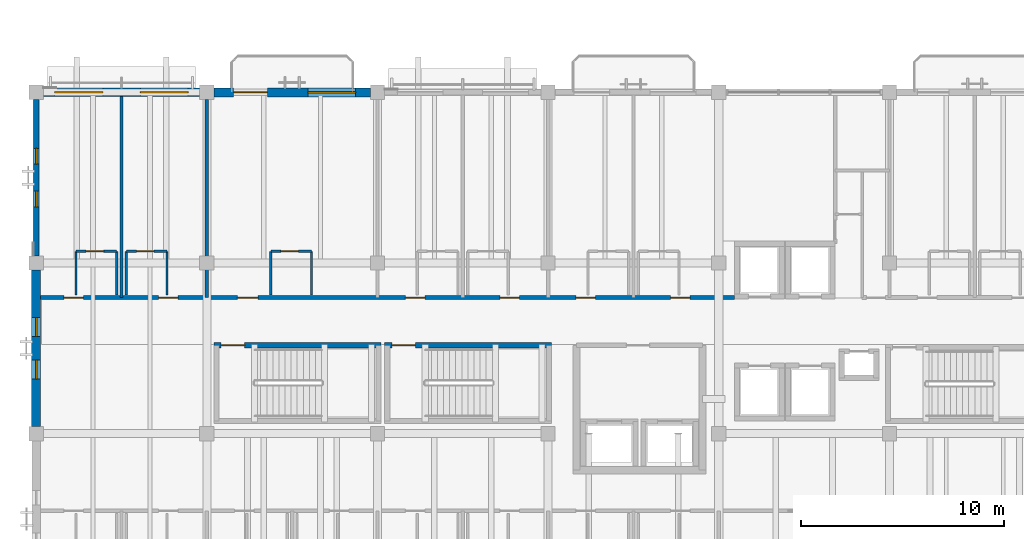
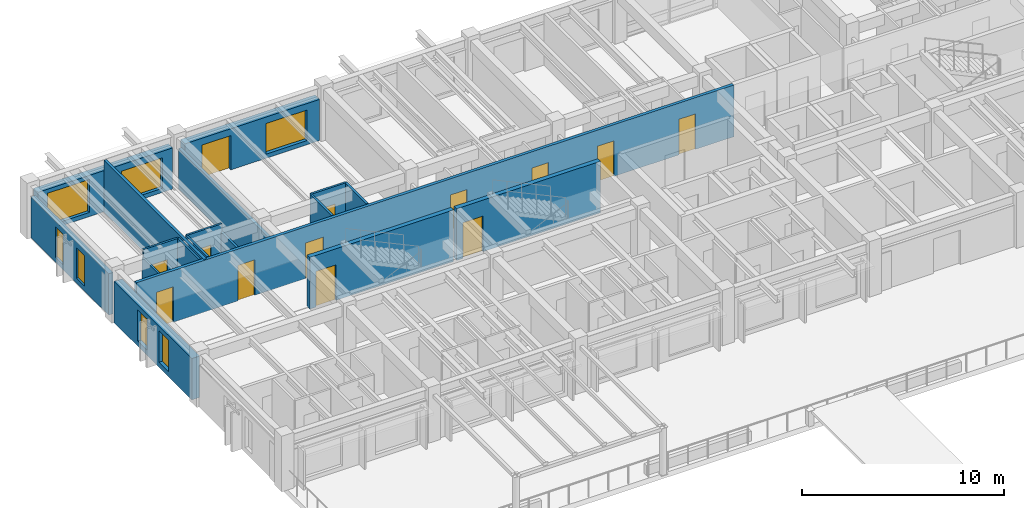
# One storey, part 89 of 111: 18 walls, 13 doors, 7 windows, 20 openings.
"""IFC4 building model written with IfcOpenShell, lengths in metres."""

from ifc_helpers import new_model, si_unit, direction, frame, frame_2d, origin, place, context, subcontext, project, spatial, rectangle, extrude, material, layer, layer_set, type_object, element, fill, save


model = new_model("IFC4")

# Units and contexts
model_context = context("Model", 3, precision=1e-05, world=origin(), true_north=direction((0.0, 1.0)))
body_context = subcontext(model_context, "Body", "Model", "MODEL_VIEW")
ifc_project = project(units=[si_unit("LENGTHUNIT", "METRE"), si_unit("AREAUNIT", "SQUARE_METRE"), si_unit("VOLUMEUNIT", "CUBIC_METRE"), si_unit("PLANEANGLEUNIT", "RADIAN"), si_unit("MASSUNIT", "GRAM", prefix="KILO")], contexts=[model_context])

# Site, building, storey
site_placement = place(None, origin())
site = spatial("IfcSite", under=ifc_project, at=site_placement, CompositionType="ELEMENT")
building_placement = place(site_placement, origin())
building = spatial("IfcBuilding", under=site, at=building_placement, Name="Cumbredor Promenade Congress Hotel", CompositionType="ELEMENT")
storey_placement = place(building_placement, frame((0.0, 0.0, 15.1201171875)))
storey = spatial("IfcBuildingStorey", under=building, at=storey_placement, Name="L04", CompositionType="ELEMENT", Elevation=15.1201171875)

# Wall, opening, door
ifc_material_1 = material(Name="Moisture-resistant gypsum board on steel studs", Category="steel")
ifc_layer_1 = layer(ifc_material_1, 0.114990234375, Name="Moisture-resistant gypsum board on steel studs", Category="steel")
ifc_layer_set_1 = layer_set([ifc_layer_1], Name="Moisture-resistant gypsum board on steel studs")
wall_type_1 = type_object("IfcWallType", Name="WL-BATH-115", PredefinedType="PARTITIONING", material=ifc_layer_set_1)
wall_1_placement = place(storey_placement, frame((1.9599609375, 109.77001953125, 0.0), z_axis=(0.0, 0.0, 1.0), x_axis=(1.0, 0.0, 0.0)))
wall_1 = element("IfcWall", 1, at=wall_1_placement, inside=storey, type_object=wall_type_1, Name="L04 Interior Partition W-L04-BH-0401", PredefinedType="PARTITIONING", context=body_context, shape_type="SweptSolid", body=[
    extrude(rectangle(XDim=2.0, YDim=0.114990234375, at=frame_2d((1.0, 0.0))), origin(), (0.0, 0.0, 1.0), 3.119873046875),
])
opening_1_placement = place(wall_1_placement, frame((0.5, 0.0, 0.0)))
opening_1 = element("IfcOpeningElement", 2, at=opening_1_placement, cuts=wall_1, Name="Opening ID-01", PredefinedType="OPENING", context=body_context, shape_type="SweptSolid", body=[
    extrude(rectangle(XDim=0.860107421875, YDim=2.050048828125, at=frame_2d((0.43017578125, 1.02490234375))), frame((0.0, 0.0673828125, 0.0), z_axis=(0.0, -1.0, 0.0), x_axis=(1.0, 0.0, 0.0)), (0.0, 0.0, 1.0), 0.135009765625),
])
ifc_material_2 = material(Name="Kiln-dried tropical hardwood", Category="wood")
door_type_1 = type_object("IfcDoorType", Name="DR-BATH-860", OperationType="NOTDEFINED", PredefinedType="DOOR", material=ifc_material_2)
door_1_placement = place(opening_1_placement, origin())
door_1 = element("IfcDoor", 3, at=door_1_placement, inside=storey, type_object=door_type_1, Name="L04 Interior Door W-L04-BH-0401-01", OperationType="SINGLE_SWING_RIGHT", OverallHeight=2.050048828125, OverallWidth=0.860107421875, PredefinedType="DOOR", context=body_context, shape_type="SweptSolid", body=[
    extrude(rectangle(XDim=0.860107421875, YDim=2.050048828125, at=frame_2d((0.43017578125, 1.02490234375))), frame((0.0, 0.02490234375, 0.0), z_axis=(0.0, -1.0, 0.0), x_axis=(1.0, 0.0, 0.0)), (0.0, 0.0, 1.0), 0.050048828125),
])
fill(opening_1, door_1)

# Walls
wall_2_placement = place(storey_placement, frame((1.9599609375, 107.6201171875, 0.0), z_axis=(0.0, 0.0, 1.0), x_axis=(0.0, 1.0, 0.0)))
element("IfcWall", 4, at=wall_2_placement, inside=storey, type_object=wall_type_1, Name="L04 Interior Partition W-L04-BV1-0401", PredefinedType="PARTITIONING", context=body_context, shape_type="SweptSolid", body=[
    extrude(rectangle(XDim=2.14990234375, YDim=0.114990234375, at=frame_2d((1.074951171875, 0.0))), origin(), (0.0, 0.0, 1.0), 2.641845703125),
])
wall_3_placement = place(storey_placement, frame((3.9599609375, 107.6201171875, 0.0), z_axis=(0.0, 0.0, 1.0), x_axis=(0.0, 1.0, 0.0)))
element("IfcWall", 5, at=wall_3_placement, inside=storey, type_object=wall_type_1, Name="L04 Interior Partition W-L04-BV2-0401", PredefinedType="PARTITIONING", context=body_context, shape_type="SweptSolid", body=[
    extrude(rectangle(XDim=2.14990234375, YDim=0.114990234375, at=frame_2d((1.074951171875, 0.0))), origin(), (0.0, 0.0, 1.0), 3.119873046875),
])

# Wall, opening, door
wall_4_placement = place(storey_placement, frame((4.43994140625, 109.77001953125, 0.0), z_axis=(0.0, 0.0, 1.0), x_axis=(1.0, 0.0, 0.0)))
wall_4 = element("IfcWall", 6, at=wall_4_placement, inside=storey, type_object=wall_type_1, Name="L04 Interior Partition W-L04-BH-0402", PredefinedType="PARTITIONING", context=body_context, shape_type="SweptSolid", body=[
    extrude(rectangle(XDim=2.0, YDim=0.114990234375, at=frame_2d((1.0, 0.0))), origin(), (0.0, 0.0, 1.0), 3.119873046875),
])
opening_2_placement = place(wall_4_placement, frame((0.5, 0.0, 0.0)))
opening_2 = element("IfcOpeningElement", 7, at=opening_2_placement, cuts=wall_4, Name="Opening ID-01", PredefinedType="OPENING", context=body_context, shape_type="SweptSolid", body=[
    extrude(rectangle(XDim=0.860107421875, YDim=2.050048828125, at=frame_2d((0.43017578125, 1.02490234375))), frame((0.0, 0.0673828125, 0.0), z_axis=(0.0, -1.0, 0.0), x_axis=(1.0, 0.0, 0.0)), (0.0, 0.0, 1.0), 0.135009765625),
])
door_2_placement = place(opening_2_placement, origin())
door_2 = element("IfcDoor", 8, at=door_2_placement, inside=storey, type_object=door_type_1, Name="L04 Interior Door W-L04-BH-0402-01", OperationType="SINGLE_SWING_LEFT", OverallHeight=2.050048828125, OverallWidth=0.860107421875, PredefinedType="DOOR", context=body_context, shape_type="SweptSolid", body=[
    extrude(rectangle(XDim=0.860107421875, YDim=2.050048828125, at=frame_2d((0.43017578125, 1.02490234375))), frame((0.0, 0.02490234375, 0.0), z_axis=(0.0, -1.0, 0.0), x_axis=(1.0, 0.0, 0.0)), (0.0, 0.0, 1.0), 0.050048828125),
])
fill(opening_2, door_2)

# Walls
wall_5_placement = place(storey_placement, frame((4.43994140625, 107.6201171875, 0.0), z_axis=(0.0, 0.0, 1.0), x_axis=(0.0, 1.0, 0.0)))
element("IfcWall", 9, at=wall_5_placement, inside=storey, type_object=wall_type_1, Name="L04 Interior Partition W-L04-BV1-0402", PredefinedType="PARTITIONING", context=body_context, shape_type="SweptSolid", body=[
    extrude(rectangle(XDim=2.14990234375, YDim=0.114990234375, at=frame_2d((1.074951171875, 0.0))), origin(), (0.0, 0.0, 1.0), 3.119873046875),
])
wall_6_placement = place(storey_placement, frame((6.43994140625, 107.6201171875, 0.0), z_axis=(0.0, 0.0, 1.0), x_axis=(0.0, 1.0, 0.0)))
element("IfcWall", 10, at=wall_6_placement, inside=storey, type_object=wall_type_1, Name="L04 Interior Partition W-L04-BV2-0402", PredefinedType="PARTITIONING", context=body_context, shape_type="SweptSolid", body=[
    extrude(rectangle(XDim=2.14990234375, YDim=0.114990234375, at=frame_2d((1.074951171875, 0.0))), origin(), (0.0, 0.0, 1.0), 2.641845703125),
])

# Wall, opening, door
wall_7_placement = place(storey_placement, frame((11.550048828125, 109.77001953125, 0.0), z_axis=(0.0, 0.0, 1.0), x_axis=(1.0, 0.0, 0.0)))
wall_7 = element("IfcWall", 11, at=wall_7_placement, inside=storey, type_object=wall_type_1, Name="L04 Interior Partition W-L04-BH-0403", PredefinedType="PARTITIONING", context=body_context, shape_type="SweptSolid", body=[
    extrude(rectangle(XDim=2.0, YDim=0.114990234375, at=frame_2d((1.0, 0.0))), origin(), (0.0, 0.0, 1.0), 3.119873046875),
])
opening_3_placement = place(wall_7_placement, frame((0.5, 0.0, 0.0)))
opening_3 = element("IfcOpeningElement", 12, at=opening_3_placement, cuts=wall_7, Name="Opening ID-01", PredefinedType="OPENING", context=body_context, shape_type="SweptSolid", body=[
    extrude(rectangle(XDim=0.860107421875, YDim=2.050048828125, at=frame_2d((0.43017578125, 1.02490234375))), frame((0.0, 0.0673828125, 0.0), z_axis=(0.0, -1.0, 0.0), x_axis=(1.0, 0.0, 0.0)), (0.0, 0.0, 1.0), 0.135009765625),
])
door_3_placement = place(opening_3_placement, origin())
door_3 = element("IfcDoor", 13, at=door_3_placement, inside=storey, type_object=door_type_1, Name="L04 Interior Door W-L04-BH-0403-01", OperationType="SINGLE_SWING_RIGHT", OverallHeight=2.050048828125, OverallWidth=0.860107421875, PredefinedType="DOOR", context=body_context, shape_type="SweptSolid", body=[
    extrude(rectangle(XDim=0.860107421875, YDim=2.050048828125, at=frame_2d((0.43017578125, 1.02490234375))), frame((0.0, 0.02490234375, 0.0), z_axis=(0.0, -1.0, 0.0), x_axis=(1.0, 0.0, 0.0)), (0.0, 0.0, 1.0), 0.050048828125),
])
fill(opening_3, door_3)

# Walls
for number, where, z_axis, x_axis, name in (
    (14, (11.550048828125, 107.6201171875, 0.0), (0.0, 0.0, 1.0), (0.0, 1.0, 0.0), "L04 Interior Partition W-L04-BV1-0403"),
    (15, (13.550048828125, 107.6201171875, 0.0), (0.0, 0.0, 1.0), (0.0, 1.0, 0.0), "L04 Interior Partition W-L04-BV2-0403"),
):
    element("IfcWall", number, at=place(storey_placement, frame(where, z_axis=z_axis, x_axis=x_axis)), inside=storey, type_object=wall_type_1, Name=name, PredefinedType="PARTITIONING", context=body_context, shape_type="SweptSolid", body=[
        extrude(rectangle(XDim=2.14990234375, YDim=0.114990234375, at=frame_2d((1.074951171875, 0.0))), origin(), (0.0, 0.0, 1.0), 3.119873046875),
    ])

# Wall, openings, doors
ifc_material_3 = material(Name="Fire-rated hotel corridor wall")
ifc_layer_2 = layer(ifc_material_3, 0.179931640625, Name="Fire-rated hotel corridor wall")
ifc_layer_set_2 = layer_set([ifc_layer_2], Name="Fire-rated hotel corridor wall")
wall_type_2 = type_object("IfcWallType", Name="WL-CORR-180", PredefinedType="PARTITIONING", material=ifc_layer_set_2)
wall_8_placement = place(storey_placement, frame((0.22509765625, 107.5, 0.0), z_axis=(0.0, 0.0, 1.0), x_axis=(1.0, 0.0, 0.0)))
wall_8 = element("IfcWall", 16, at=wall_8_placement, inside=storey, type_object=wall_type_2, Name="L04 Interior Partition W-L04-CORR-NW", PredefinedType="PARTITIONING", context=body_context, shape_type="SweptSolid", body=[
    extrude(rectangle(XDim=34.14501953125, YDim=0.179931640625, at=frame_2d((17.072509765625, 0.0))), origin(), (0.0, 0.0, 1.0), 3.119873046875),
])
opening_4_placement = place(wall_8_placement, frame((1.14501953125, 0.0, 0.0)))
opening_4 = element("IfcOpeningElement", 17, at=opening_4_placement, cuts=wall_8, Name="Opening FD-01", PredefinedType="OPENING", context=body_context, shape_type="SweptSolid", body=[
    extrude(rectangle(XDim=0.9599609375, YDim=2.14990234375, at=frame_2d((0.47998046875, 1.074951171875))), frame((0.0, 0.10009765625, 0.0), z_axis=(0.0, -1.0, 0.0), x_axis=(1.0, 0.0, 0.0)), (0.0, 0.0, 1.0), 0.199951171875),
])
opening_5_placement = place(wall_8_placement, frame((5.804931640625, 0.0, 0.0)))
opening_5 = element("IfcOpeningElement", 18, at=opening_5_placement, cuts=wall_8, Name="Opening FD-01", PredefinedType="OPENING", context=body_context, shape_type="SweptSolid", body=[
    extrude(rectangle(XDim=0.9599609375, YDim=2.14990234375, at=frame_2d((0.47998046875, 1.074951171875))), frame((0.0, 0.10009765625, 0.0), z_axis=(0.0, -1.0, 0.0), x_axis=(1.0, 0.0, 0.0)), (0.0, 0.0, 1.0), 0.199951171875),
])
opening_6_placement = place(wall_8_placement, frame((9.675048828125, 0.0, 0.0)))
opening_6 = element("IfcOpeningElement", 19, at=opening_6_placement, cuts=wall_8, Name="Opening FD-02", PredefinedType="OPENING", context=body_context, shape_type="SweptSolid", body=[
    extrude(rectangle(XDim=1.02001953125, YDim=2.14990234375, at=frame_2d((0.510009765625, 1.074951171875))), frame((0.0, 0.10009765625, 0.0), z_axis=(0.0, -1.0, 0.0), x_axis=(1.0, 0.0, 0.0)), (0.0, 0.0, 1.0), 0.199951171875),
])
opening_7_placement = place(wall_8_placement, frame((17.945068359375, 0.0, 0.0)))
opening_7 = element("IfcOpeningElement", 20, at=opening_7_placement, cuts=wall_8, Name="Opening FD-01", PredefinedType="OPENING", context=body_context, shape_type="SweptSolid", body=[
    extrude(rectangle(XDim=0.9599609375, YDim=2.14990234375, at=frame_2d((0.47998046875, 1.074951171875))), frame((0.0, 0.10009765625, 0.0), z_axis=(0.0, -1.0, 0.0), x_axis=(1.0, 0.0, 0.0)), (0.0, 0.0, 1.0), 0.199951171875),
])
opening_8_placement = place(wall_8_placement, frame((22.60498046875, 0.0, 0.0)))
opening_8 = element("IfcOpeningElement", 21, at=opening_8_placement, cuts=wall_8, Name="Opening FD-01", PredefinedType="OPENING", context=body_context, shape_type="SweptSolid", body=[
    extrude(rectangle(XDim=0.9599609375, YDim=2.14990234375, at=frame_2d((0.47998046875, 1.074951171875))), frame((0.0, 0.10009765625, 0.0), z_axis=(0.0, -1.0, 0.0), x_axis=(1.0, 0.0, 0.0)), (0.0, 0.0, 1.0), 0.199951171875),
])
opening_9_placement = place(wall_8_placement, frame((26.344970703125, 0.0, 0.0)))
opening_9 = element("IfcOpeningElement", 22, at=opening_9_placement, cuts=wall_8, Name="Opening FD-01", PredefinedType="OPENING", context=body_context, shape_type="SweptSolid", body=[
    extrude(rectangle(XDim=0.9599609375, YDim=2.14990234375, at=frame_2d((0.47998046875, 1.074951171875))), frame((0.0, 0.10009765625, 0.0), z_axis=(0.0, -1.0, 0.0), x_axis=(1.0, 0.0, 0.0)), (0.0, 0.0, 1.0), 0.199951171875),
])
opening_10_placement = place(wall_8_placement, frame((31.0048828125, 0.0, 0.0)))
opening_10 = element("IfcOpeningElement", 23, at=opening_10_placement, cuts=wall_8, Name="Opening FD-01", PredefinedType="OPENING", context=body_context, shape_type="SweptSolid", body=[
    extrude(rectangle(XDim=0.9599609375, YDim=2.14990234375, at=frame_2d((0.47998046875, 1.074951171875))), frame((0.0, 0.10009765625, 0.0), z_axis=(0.0, -1.0, 0.0), x_axis=(1.0, 0.0, 0.0)), (0.0, 0.0, 1.0), 0.199951171875),
])
ifc_material_4 = material(Name="Solid-core fire-rated tropical hardwood", Category="wood")
door_type_2 = type_object("IfcDoorType", Name="DR-GUEST-FD30-1000", OperationType="NOTDEFINED", PredefinedType="DOOR", material=ifc_material_4)
door_4_placement = place(opening_6_placement, origin())
door_4 = element("IfcDoor", 24, at=door_4_placement, inside=storey, type_object=door_type_2, Name="L04 Interior Door W-L04-CORR-NW-03", OperationType="SINGLE_SWING_LEFT", OverallHeight=2.14990234375, OverallWidth=1.02001953125, PredefinedType="DOOR", context=body_context, shape_type="SweptSolid", body=[
    extrude(rectangle(XDim=1.02001953125, YDim=2.14990234375, at=frame_2d((0.510009765625, 1.074951171875))), frame((0.0, 0.02490234375, 0.0), z_axis=(0.0, -1.0, 0.0), x_axis=(1.0, 0.0, 0.0)), (0.0, 0.0, 1.0), 0.050048828125),
])
fill(opening_6, door_4)
door_type_3 = type_object("IfcDoorType", Name="DR-GUEST-FD30-950", OperationType="NOTDEFINED", PredefinedType="DOOR", material=ifc_material_4)
door_5_placement = place(opening_4_placement, origin())
door_5 = element("IfcDoor", 25, at=door_5_placement, inside=storey, type_object=door_type_3, Name="L04 Interior Door W-L04-CORR-NW-01", OperationType="SINGLE_SWING_LEFT", OverallHeight=2.14990234375, OverallWidth=0.9599609375, PredefinedType="DOOR", context=body_context, shape_type="SweptSolid", body=[
    extrude(rectangle(XDim=0.9599609375, YDim=2.14990234375, at=frame_2d((0.47998046875, 1.074951171875))), frame((0.0, 0.02490234375, 0.0), z_axis=(0.0, -1.0, 0.0), x_axis=(1.0, 0.0, 0.0)), (0.0, 0.0, 1.0), 0.050048828125),
])
fill(opening_4, door_5)
door_6_placement = place(opening_5_placement, origin())
door_6 = element("IfcDoor", 26, at=door_6_placement, inside=storey, type_object=door_type_3, Name="L04 Interior Door W-L04-CORR-NW-02", OperationType="SINGLE_SWING_RIGHT", OverallHeight=2.14990234375, OverallWidth=0.9599609375, PredefinedType="DOOR", context=body_context, shape_type="SweptSolid", body=[
    extrude(rectangle(XDim=0.9599609375, YDim=2.14990234375, at=frame_2d((0.47998046875, 1.074951171875))), frame((0.0, 0.02490234375, 0.0), z_axis=(0.0, -1.0, 0.0), x_axis=(1.0, 0.0, 0.0)), (0.0, 0.0, 1.0), 0.050048828125),
])
fill(opening_5, door_6)
door_7_placement = place(opening_7_placement, origin())
door_7 = element("IfcDoor", 27, at=door_7_placement, inside=storey, type_object=door_type_3, Name="L04 Interior Door W-L04-CORR-NW-04", OperationType="SINGLE_SWING_RIGHT", OverallHeight=2.14990234375, OverallWidth=0.9599609375, PredefinedType="DOOR", context=body_context, shape_type="SweptSolid", body=[
    extrude(rectangle(XDim=0.9599609375, YDim=2.14990234375, at=frame_2d((0.47998046875, 1.074951171875))), frame((0.0, 0.02490234375, 0.0), z_axis=(0.0, -1.0, 0.0), x_axis=(1.0, 0.0, 0.0)), (0.0, 0.0, 1.0), 0.050048828125),
])
fill(opening_7, door_7)
door_8_placement = place(opening_8_placement, origin())
door_8 = element("IfcDoor", 28, at=door_8_placement, inside=storey, type_object=door_type_3, Name="L04 Interior Door W-L04-CORR-NW-05", OperationType="SINGLE_SWING_LEFT", OverallHeight=2.14990234375, OverallWidth=0.9599609375, PredefinedType="DOOR", context=body_context, shape_type="SweptSolid", body=[
    extrude(rectangle(XDim=0.9599609375, YDim=2.14990234375, at=frame_2d((0.47998046875, 1.074951171875))), frame((0.0, 0.02490234375, 0.0), z_axis=(0.0, -1.0, 0.0), x_axis=(1.0, 0.0, 0.0)), (0.0, 0.0, 1.0), 0.050048828125),
])
fill(opening_8, door_8)
door_9_placement = place(opening_9_placement, origin())
door_9 = element("IfcDoor", 29, at=door_9_placement, inside=storey, type_object=door_type_3, Name="L04 Interior Door W-L04-CORR-NW-06", OperationType="SINGLE_SWING_RIGHT", OverallHeight=2.14990234375, OverallWidth=0.9599609375, PredefinedType="DOOR", context=body_context, shape_type="SweptSolid", body=[
    extrude(rectangle(XDim=0.9599609375, YDim=2.14990234375, at=frame_2d((0.47998046875, 1.074951171875))), frame((0.0, 0.02490234375, 0.0), z_axis=(0.0, -1.0, 0.0), x_axis=(1.0, 0.0, 0.0)), (0.0, 0.0, 1.0), 0.050048828125),
])
fill(opening_9, door_9)
door_10_placement = place(opening_10_placement, origin())
door_10 = element("IfcDoor", 30, at=door_10_placement, inside=storey, type_object=door_type_3, Name="L04 Interior Door W-L04-CORR-NW-07", OperationType="SINGLE_SWING_LEFT", OverallHeight=2.14990234375, OverallWidth=0.9599609375, PredefinedType="DOOR", context=body_context, shape_type="SweptSolid", body=[
    extrude(rectangle(XDim=0.9599609375, YDim=2.14990234375, at=frame_2d((0.47998046875, 1.074951171875))), frame((0.0, 0.02490234375, 0.0), z_axis=(0.0, -1.0, 0.0), x_axis=(1.0, 0.0, 0.0)), (0.0, 0.0, 1.0), 0.050048828125),
])
fill(opening_10, door_10)

# Wall, openings, windows
ifc_material_5 = material(Name="Concrete C40/50", Category="concrete")
ifc_layer_3 = layer(ifc_material_5, 0.260009765625, Name="Concrete C40/50", Category="concrete")
ifc_layer_set_3 = layer_set([ifc_layer_3], Name="Concrete C40/50")
wall_type_3 = type_object("IfcWallType", Name="WL-EXT-260", PredefinedType="SOLIDWALL", material=ifc_layer_set_3)
wall_9_placement = place(storey_placement, frame((0.0, 109.551025390625, 0.0), z_axis=(0.0, 0.0, 1.0), x_axis=(0.0, 1.0, 0.0)))
wall_9 = element("IfcWall", 31, at=wall_9_placement, inside=storey, type_object=wall_type_3, Name="L04 Stepped Congress Hotel Wing West Envelope Wall 3", PredefinedType="SOLIDWALL", context=body_context, shape_type="SweptSolid", body=[
    extrude(rectangle(XDim=7.697998046875, YDim=0.260009765625, at=frame_2d((3.84912109375, 0.0))), origin(), (0.0, 0.0, 1.0), 2.493896484375),
])
opening_11_placement = place(wall_9_placement, frame((2.408935546875, 0.0, 0.300048828125)))
opening_11 = element("IfcOpeningElement", 32, at=opening_11_placement, cuts=wall_9, Name="Opening WN-46", PredefinedType="OPENING", context=body_context, shape_type="SweptSolid", body=[
    extrude(rectangle(XDim=0.780029296875, YDim=1.85009765625, at=frame_2d((0.39013671875, 0.925048828125))), frame((0.0, 0.14013671875, 0.0), z_axis=(0.0, -1.0, 0.0), x_axis=(1.0, 0.0, 0.0)), (0.0, 0.0, 1.0), 0.280029296875),
])
opening_12_placement = place(wall_9_placement, frame((4.509033203125, 0.0, 0.300048828125)))
opening_12 = element("IfcOpeningElement", 33, at=opening_12_placement, cuts=wall_9, Name="Opening WN-46", PredefinedType="OPENING", context=body_context, shape_type="SweptSolid", body=[
    extrude(rectangle(XDim=0.780029296875, YDim=1.85009765625, at=frame_2d((0.39013671875, 0.925048828125))), frame((0.0, 0.14013671875, 0.0), z_axis=(0.0, -1.0, 0.0), x_axis=(1.0, 0.0, 0.0)), (0.0, 0.0, 1.0), 0.280029296875),
])
ifc_material_6 = material(Name="Thermally broken anodized aluminium and low-E glass", Category="aluminium")
window_type_1 = type_object("IfcWindowType", Name="Vertical Slot Window WN-46 780x1850", PartitioningType="SINGLE_PANEL", PredefinedType="WINDOW", material=ifc_material_6)
window_1_placement = place(opening_11_placement, origin())
window_1 = element("IfcWindow", 34, at=window_1_placement, inside=storey, type_object=window_type_1, Name="L04 Vertical Slot Window 0506", OverallHeight=1.85009765625, OverallWidth=0.780029296875, PartitioningType="SINGLE_PANEL", PredefinedType="WINDOW", context=body_context, shape_type="SweptSolid", body=[
    extrude(rectangle(XDim=0.780029296875, YDim=1.85009765625, at=frame_2d((0.39013671875, 0.925048828125))), frame((0.0, 0.030029296875, 0.0), z_axis=(0.0, -1.0, 0.0), x_axis=(1.0, 0.0, 0.0)), (0.0, 0.0, 1.0), 0.06005859375),
])
fill(opening_11, window_1)
window_2_placement = place(opening_12_placement, origin())
window_2 = element("IfcWindow", 35, at=window_2_placement, inside=storey, type_object=window_type_1, Name="L04 Vertical Slot Window 0507", OverallHeight=1.85009765625, OverallWidth=0.780029296875, PartitioningType="SINGLE_PANEL", PredefinedType="WINDOW", context=body_context, shape_type="SweptSolid", body=[
    extrude(rectangle(XDim=0.780029296875, YDim=1.85009765625, at=frame_2d((0.39013671875, 0.925048828125))), frame((0.0, 0.030029296875, 0.0), z_axis=(0.0, -1.0, 0.0), x_axis=(1.0, 0.0, 0.0)), (0.0, 0.0, 1.0), 0.06005859375),
])
fill(opening_12, window_2)

ifc_layer_4 = layer(ifc_material_5, 0.425048828125, Name="Concrete C40/50", Category="concrete")
ifc_layer_set_4 = layer_set([ifc_layer_4], Name="Concrete C40/50")
wall_type_4 = type_object("IfcWallType", Name="WL-EXT-425", PredefinedType="SOLIDWALL", material=ifc_layer_set_4)
wall_10_placement = place(storey_placement, frame((0.35107421875, 117.60009765625, 0.0), z_axis=(0.0, 0.0, 1.0), x_axis=(1.0, 0.0, 0.0)))
wall_10 = element("IfcWall", 36, at=wall_10_placement, inside=storey, type_object=wall_type_4, Name="L04 Stepped Congress Hotel Wing North Envelope Wall 1", PredefinedType="SOLIDWALL", context=body_context, shape_type="SweptSolid", body=[
    extrude(rectangle(XDim=7.697998046875, YDim=0.425048828125, at=frame_2d((3.84912109375, 0.0))), origin(), (0.0, 0.0, 1.0), 2.493896484375),
])
opening_13_placement = place(wall_10_placement, frame((0.55908203125, 0.0, 0.25)))
opening_13 = element("IfcOpeningElement", 37, at=opening_13_placement, cuts=wall_10, Name="Opening WN-41", PredefinedType="OPENING", context=body_context, shape_type="SweptSolid", body=[
    extrude(rectangle(XDim=2.3798828125, YDim=2.0, at=frame_2d((1.18994140625, 1.0))), frame((0.0, 0.22265625, 0.0), z_axis=(0.0, -1.0, 0.0), x_axis=(1.0, 0.0, 0.0)), (0.0, 0.0, 1.0), 0.445068359375),
])
opening_14_placement = place(wall_10_placement, frame((4.77392578125, 0.0, 0.25)))
opening_14 = element("IfcOpeningElement", 38, at=opening_14_placement, cuts=wall_10, Name="Opening WN-02", PredefinedType="OPENING", context=body_context, shape_type="SweptSolid", body=[
    extrude(rectangle(XDim=2.35009765625, YDim=1.85009765625, at=frame_2d((1.175048828125, 0.925048828125))), frame((0.0, 0.22265625, 0.0), z_axis=(0.0, -1.0, 0.0), x_axis=(1.0, 0.0, 0.0)), (0.0, 0.0, 1.0), 0.445068359375),
])
window_type_2 = type_object("IfcWindowType", Name="Hospitality Floor-to-Ceiling Window WN-02 2350x1850", PartitioningType="DOUBLE_PANEL_VERTICAL", PredefinedType="WINDOW", material=ifc_material_6)
window_3_placement = place(opening_14_placement, origin())
window_3 = element("IfcWindow", 39, at=window_3_placement, inside=storey, type_object=window_type_2, Name="L04 Wide Hospitality Window 0490", OverallHeight=1.85009765625, OverallWidth=2.35009765625, PartitioningType="DOUBLE_PANEL_VERTICAL", PredefinedType="WINDOW", context=body_context, shape_type="SweptSolid", body=[
    extrude(rectangle(XDim=2.35009765625, YDim=1.85009765625, at=frame_2d((1.175048828125, 0.925048828125))), frame((0.0, 0.030029296875, 0.0), z_axis=(0.0, -1.0, 0.0), x_axis=(1.0, 0.0, 0.0)), (0.0, 0.0, 1.0), 0.06005859375),
])
fill(opening_14, window_3)
window_type_3 = type_object("IfcWindowType", Name="Hospitality Floor-to-Ceiling Window WN-41 2380x2000", PartitioningType="DOUBLE_PANEL_VERTICAL", PredefinedType="WINDOW", material=ifc_material_6)
window_4_placement = place(opening_13_placement, origin())
window_4 = element("IfcWindow", 40, at=window_4_placement, inside=storey, type_object=window_type_3, Name="L04 Wide Hospitality Window 0489", OverallHeight=2.0, OverallWidth=2.3798828125, PartitioningType="DOUBLE_PANEL_VERTICAL", PredefinedType="WINDOW", context=body_context, shape_type="SweptSolid", body=[
    extrude(rectangle(XDim=2.3798828125, YDim=2.0, at=frame_2d((1.18994140625, 1.0))), frame((0.0, 0.030029296875, 0.0), z_axis=(0.0, -1.0, 0.0), x_axis=(1.0, 0.0, 0.0)), (0.0, 0.0, 1.0), 0.06005859375),
])
fill(opening_13, window_4)

# Wall, openings, door, window
ifc_layer_5 = layer(ifc_material_5, 0.449951171875, Name="Concrete C40/50", Category="concrete")
ifc_layer_set_5 = layer_set([ifc_layer_5], Name="Concrete C40/50")
wall_type_5 = type_object("IfcWallType", Name="WL-EXT-450", PredefinedType="SOLIDWALL", material=ifc_layer_set_5)
wall_11_placement = place(storey_placement, frame((8.7509765625, 117.60009765625, 0.0), z_axis=(0.0, 0.0, 1.0), x_axis=(1.0, 0.0, 0.0)))
wall_11 = element("IfcWall", 41, at=wall_11_placement, inside=storey, type_object=wall_type_5, Name="L04 Stepped Congress Hotel Wing North Envelope Wall 2", PredefinedType="SOLIDWALL", context=body_context, shape_type="SweptSolid", body=[
    extrude(rectangle(XDim=7.697998046875, YDim=0.449951171875, at=frame_2d((3.84912109375, 0.0))), origin(), (0.0, 0.0, 1.0), 2.493896484375),
])
opening_15_placement = place(wall_11_placement, frame((0.97412109375, 0.0, 0.0)))
opening_15 = element("IfcOpeningElement", 42, at=opening_15_placement, cuts=wall_11, Name="Opening TD-02", PredefinedType="OPENING", context=body_context, shape_type="SweptSolid", body=[
    extrude(rectangle(XDim=1.64990234375, YDim=2.080078125, at=frame_2d((0.824951171875, 1.0400390625))), frame((0.0, 0.23486328125, 0.0), z_axis=(0.0, -1.0, 0.0), x_axis=(1.0, 0.0, 0.0)), (0.0, 0.0, 1.0), 0.469970703125),
])
opening_16_placement = place(wall_11_placement, frame((4.6240234375, 0.0, 0.25)))
opening_16 = element("IfcOpeningElement", 43, at=opening_16_placement, cuts=wall_11, Name="Opening WN-02", PredefinedType="OPENING", context=body_context, shape_type="SweptSolid", body=[
    extrude(rectangle(XDim=2.35009765625, YDim=1.85009765625, at=frame_2d((1.175048828125, 0.925048828125))), frame((0.0, 0.23486328125, 0.0), z_axis=(0.0, -1.0, 0.0), x_axis=(1.0, 0.0, 0.0)), (0.0, 0.0, 1.0), 0.469970703125),
])
ifc_material_7 = material(Name="Thermally broken anodized aluminium and laminated safety glass", Category="aluminium")
door_type_4 = type_object("IfcDoorType", Name="EXT-DR-TER-1650x2080", OperationType="DOUBLE_DOOR_SINGLE_SWING", PredefinedType="DOOR", material=ifc_material_7)
door_11_placement = place(opening_15_placement, origin())
door_11 = element("IfcDoor", 44, at=door_11_placement, inside=storey, type_object=door_type_4, Name="L04 Guestroom Veranda Balcony Door 052", OperationType="DOUBLE_DOOR_SINGLE_SWING", OverallHeight=2.080078125, OverallWidth=1.64990234375, PredefinedType="DOOR", context=body_context, shape_type="SweptSolid", body=[
    extrude(rectangle(XDim=1.64990234375, YDim=2.080078125, at=frame_2d((0.824951171875, 1.0400390625))), frame((0.0, 0.02490234375, 0.0), z_axis=(0.0, -1.0, 0.0), x_axis=(1.0, 0.0, 0.0)), (0.0, 0.0, 1.0), 0.050048828125),
])
fill(opening_15, door_11)
window_5_placement = place(opening_16_placement, origin())
window_5 = element("IfcWindow", 45, at=window_5_placement, inside=storey, type_object=window_type_2, Name="L04 Veranda Companion Floor-to-Ceiling Window 0491", OverallHeight=1.85009765625, OverallWidth=2.35009765625, PartitioningType="DOUBLE_PANEL_VERTICAL", PredefinedType="WINDOW", context=body_context, shape_type="SweptSolid", body=[
    extrude(rectangle(XDim=2.35009765625, YDim=1.85009765625, at=frame_2d((1.175048828125, 0.925048828125))), frame((0.0, 0.030029296875, 0.0), z_axis=(0.0, -1.0, 0.0), x_axis=(1.0, 0.0, 0.0)), (0.0, 0.0, 1.0), 0.06005859375),
])
fill(opening_16, window_5)

# Wall, openings, windows
wall_12_placement = place(storey_placement, frame((0.0, 101.15087890625, 0.0), z_axis=(0.0, 0.0, 1.0), x_axis=(0.0, 1.0, 0.0)))
wall_12 = element("IfcWall", 46, at=wall_12_placement, inside=storey, type_object=wall_type_5, Name="L04 Stepped Congress Hotel Wing West Envelope Wall 2", PredefinedType="SOLIDWALL", context=body_context, shape_type="SweptSolid", body=[
    extrude(rectangle(XDim=7.6982421875, YDim=0.449951171875, at=frame_2d((3.84912109375, 0.0))), origin(), (0.0, 0.0, 1.0), 2.493896484375),
])
opening_17_placement = place(wall_12_placement, frame((2.333984375, 0.0, 0.300048828125)))
opening_17 = element("IfcOpeningElement", 47, at=opening_17_placement, cuts=wall_12, Name="Opening WN-68", PredefinedType="OPENING", context=body_context, shape_type="SweptSolid", body=[
    extrude(rectangle(XDim=0.929931640625, YDim=1.89990234375, at=frame_2d((0.46484375, 0.949951171875))), frame((0.0, 0.23486328125, 0.0), z_axis=(0.0, -1.0, 0.0), x_axis=(1.0, 0.0, 0.0)), (0.0, 0.0, 1.0), 0.469970703125),
])
opening_18_placement = place(wall_12_placement, frame((4.43408203125, 0.0, 0.300048828125)))
opening_18 = element("IfcOpeningElement", 48, at=opening_18_placement, cuts=wall_12, Name="Opening WN-68", PredefinedType="OPENING", context=body_context, shape_type="SweptSolid", body=[
    extrude(rectangle(XDim=0.929931640625, YDim=1.89990234375, at=frame_2d((0.46484375, 0.949951171875))), frame((0.0, 0.23486328125, 0.0), z_axis=(0.0, -1.0, 0.0), x_axis=(1.0, 0.0, 0.0)), (0.0, 0.0, 1.0), 0.469970703125),
])
window_type_4 = type_object("IfcWindowType", Name="Vertical Slot Window WN-68 930x1900", PartitioningType="SINGLE_PANEL", PredefinedType="WINDOW", material=ifc_material_6)
window_6_placement = place(opening_17_placement, origin())
window_6 = element("IfcWindow", 49, at=window_6_placement, inside=storey, type_object=window_type_4, Name="L04 Vertical Slot Window 0504", OverallHeight=1.89990234375, OverallWidth=0.929931640625, PartitioningType="SINGLE_PANEL", PredefinedType="WINDOW", context=body_context, shape_type="SweptSolid", body=[
    extrude(rectangle(XDim=0.929931640625, YDim=1.89990234375, at=frame_2d((0.46484375, 0.949951171875))), frame((0.0, 0.030029296875, 0.0), z_axis=(0.0, -1.0, 0.0), x_axis=(1.0, 0.0, 0.0)), (0.0, 0.0, 1.0), 0.06005859375),
])
fill(opening_17, window_6)
window_7_placement = place(opening_18_placement, origin())
window_7 = element("IfcWindow", 50, at=window_7_placement, inside=storey, type_object=window_type_4, Name="L04 Vertical Slot Window 0505", OverallHeight=1.89990234375, OverallWidth=0.929931640625, PartitioningType="SINGLE_PANEL", PredefinedType="WINDOW", context=body_context, shape_type="SweptSolid", body=[
    extrude(rectangle(XDim=0.929931640625, YDim=1.89990234375, at=frame_2d((0.46484375, 0.949951171875))), frame((0.0, 0.030029296875, 0.0), z_axis=(0.0, -1.0, 0.0), x_axis=(1.0, 0.0, 0.0)), (0.0, 0.0, 1.0), 0.06005859375),
])
fill(opening_18, window_7)

# Wall, opening, door
ifc_layer_6 = layer(ifc_material_5, 0.2548828125, Name="Concrete C40/50", Category="concrete")
ifc_layer_set_6 = layer_set([ifc_layer_6], Name="Concrete C40/50")
wall_type_6 = type_object("IfcWallType", Name="WL-SHAFT-250", PredefinedType="SOLIDWALL", material=ifc_layer_set_6)
wall_13_placement = place(storey_placement, frame((8.75244140625, 105.14990234375, 0.0), z_axis=(0.0, 0.0, 1.0), x_axis=(1.0, 0.0, 0.0)))
wall_13 = element("IfcWall", 51, at=wall_13_placement, inside=storey, type_object=wall_type_6, Name="STAIR-ST-01-L04 Shaft Wall North", PredefinedType="SOLIDWALL", context=body_context, shape_type="SweptSolid", body=[
    extrude(rectangle(XDim=8.22509765625, YDim=0.2548828125, at=frame_2d((4.112548828125, 0.0))), origin(), (0.0, 0.0, 1.0), 3.119873046875),
])
opening_19_placement = place(wall_13_placement, frame((0.35009765625, 0.0, 0.0)))
opening_19 = element("IfcOpeningElement", 52, at=opening_19_placement, cuts=wall_13, Name="Opening SD-01", PredefinedType="OPENING", context=body_context, shape_type="SweptSolid", body=[
    extrude(rectangle(XDim=1.159912109375, YDim=2.14990234375, at=frame_2d((0.580078125, 1.074951171875))), frame((0.0, 0.137451171875, 0.0), z_axis=(0.0, -1.0, 0.0), x_axis=(1.0, 0.0, 0.0)), (0.0, 0.0, 1.0), 0.27490234375),
])
ifc_material_8 = material(Name="Painted galvanized steel fire door", Category="steel")
door_type_5 = type_object("IfcDoorType", Name="DR-STAIR-FD90-1150", OperationType="NOTDEFINED", PredefinedType="DOOR", material=ifc_material_8)
door_12_placement = place(opening_19_placement, origin())
door_12 = element("IfcDoor", 53, at=door_12_placement, inside=storey, type_object=door_type_5, Name="L04 Protected Exit Stair ST-01 Door", OperationType="SINGLE_SWING_RIGHT", OverallHeight=2.14990234375, OverallWidth=1.159912109375, PredefinedType="DOOR", context=body_context, shape_type="SweptSolid", body=[
    extrude(rectangle(XDim=1.159912109375, YDim=2.14990234375, at=frame_2d((0.580078125, 1.074951171875))), frame((0.0, 0.02490234375, 0.0), z_axis=(0.0, -1.0, 0.0), x_axis=(1.0, 0.0, 0.0)), (0.0, 0.0, 1.0), 0.050048828125),
])
fill(opening_19, door_12)

wall_14_placement = place(storey_placement, frame((17.152587890625, 105.14990234375, 0.0), z_axis=(0.0, 0.0, 1.0), x_axis=(1.0, 0.0, 0.0)))
wall_14 = element("IfcWall", 54, at=wall_14_placement, inside=storey, type_object=wall_type_6, Name="STAIR-ST-02-L04 Shaft Wall North", PredefinedType="SOLIDWALL", context=body_context, shape_type="SweptSolid", body=[
    extrude(rectangle(XDim=8.224853515625, YDim=0.2548828125, at=frame_2d((4.1123046875, 0.0))), origin(), (0.0, 0.0, 1.0), 3.119873046875),
])
opening_20_placement = place(wall_14_placement, frame((0.35009765625, 0.0, 0.0)))
opening_20 = element("IfcOpeningElement", 55, at=opening_20_placement, cuts=wall_14, Name="Opening SD-01", PredefinedType="OPENING", context=body_context, shape_type="SweptSolid", body=[
    extrude(rectangle(XDim=1.159912109375, YDim=2.14990234375, at=frame_2d((0.580078125, 1.074951171875))), frame((0.0, 0.137451171875, 0.0), z_axis=(0.0, -1.0, 0.0), x_axis=(1.0, 0.0, 0.0)), (0.0, 0.0, 1.0), 0.27490234375),
])
door_13_placement = place(opening_20_placement, origin())
door_13 = element("IfcDoor", 56, at=door_13_placement, inside=storey, type_object=door_type_5, Name="L04 Protected Exit Stair ST-02 Door", OperationType="SINGLE_SWING_LEFT", OverallHeight=2.14990234375, OverallWidth=1.159912109375, PredefinedType="DOOR", context=body_context, shape_type="SweptSolid", body=[
    extrude(rectangle(XDim=1.159912109375, YDim=2.14990234375, at=frame_2d((0.580078125, 1.074951171875))), frame((0.0, 0.02490234375, 0.0), z_axis=(0.0, -1.0, 0.0), x_axis=(1.0, 0.0, 0.0)), (0.0, 0.0, 1.0), 0.050048828125),
])
fill(opening_20, door_13)

# Walls
ifc_material_9 = material(Name="Fire-rated acoustic double-stud partition")
ifc_layer_7 = layer(ifc_material_9, 0.1650390625, Name="Fire-rated acoustic double-stud partition")
ifc_layer_set_7 = layer_set([ifc_layer_7], Name="Fire-rated acoustic double-stud partition")
wall_type_7 = type_object("IfcWallType", Name="WL-UNIT-165", PredefinedType="PARTITIONING", material=ifc_layer_set_7)
wall_15_placement = place(storey_placement, frame((4.199951171875, 107.5, 0.0), z_axis=(0.0, 0.0, 1.0), x_axis=(0.0, 1.0, 0.0)))
element("IfcWall", 57, at=wall_15_placement, inside=storey, type_object=wall_type_7, Name="L04 Interior Partition W-L04-N-DIV-0-M", PredefinedType="PARTITIONING", context=body_context, shape_type="SweptSolid", body=[
    extrude(rectangle(XDim=9.887451171875, YDim=0.1650390625, at=frame_2d((4.94384765625, 0.0))), origin(), (0.0, 0.0, 1.0), 3.119873046875),
])
wall_16_placement = place(storey_placement, frame((8.39990234375, 107.5, 0.0), z_axis=(0.0, 0.0, 1.0), x_axis=(0.0, 1.0, 0.0)))
element("IfcWall", 58, at=wall_16_placement, inside=storey, type_object=wall_type_7, Name="L04 Interior Partition W-L04-N-DIV-1-G", PredefinedType="PARTITIONING", context=body_context, shape_type="SweptSolid", body=[
    extrude(rectangle(XDim=9.75, YDim=0.1650390625, at=frame_2d((4.875, 0.0))), origin(), (0.0, 0.0, 1.0), 2.454833984375),
])

save(model, "model.ifc")
